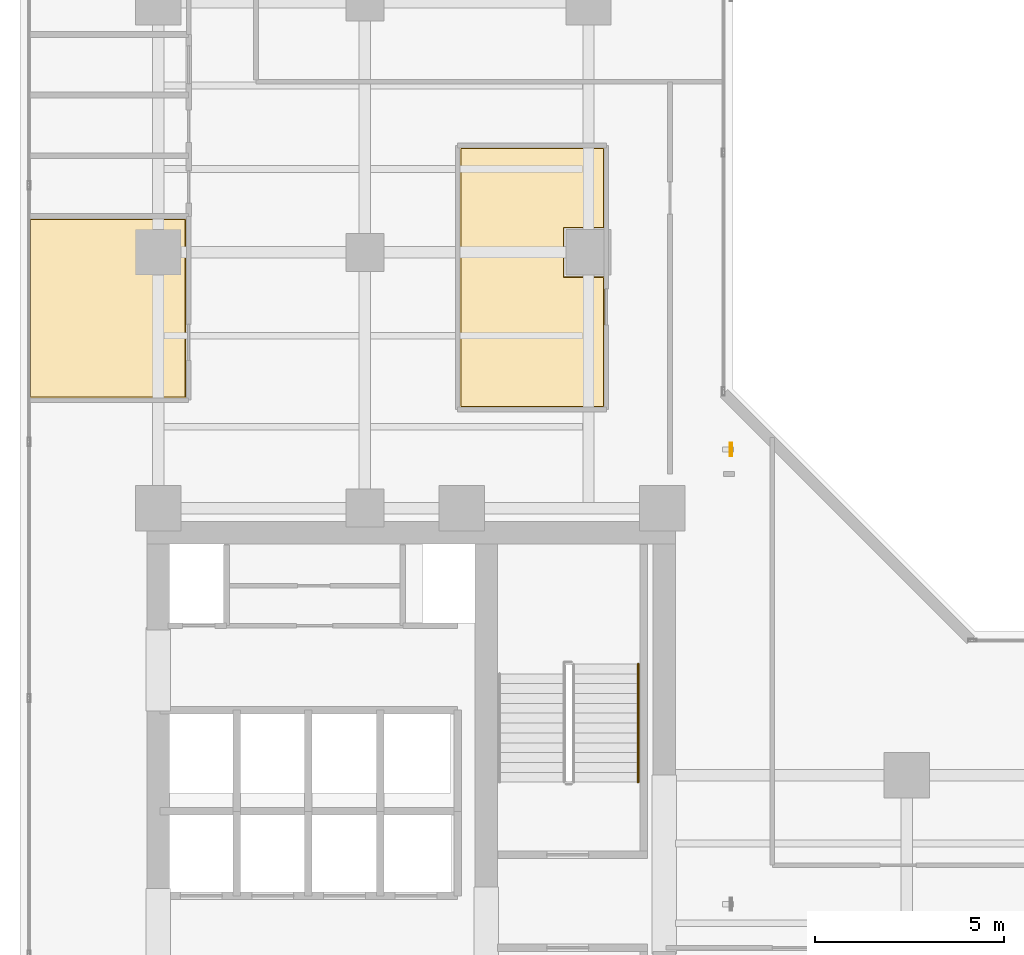
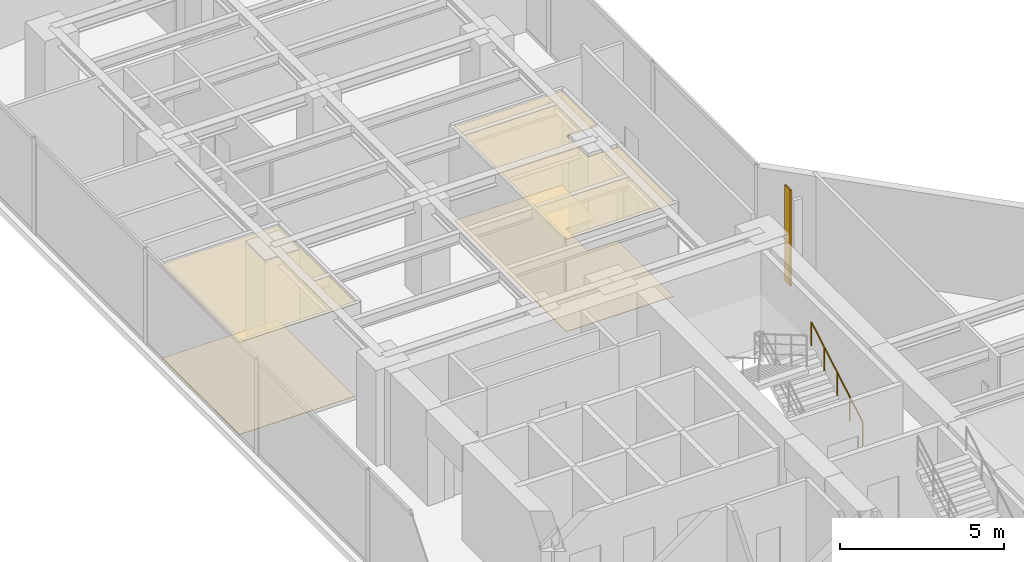
# One storey, part 25 of 27: 4 coverings, 1 railing, 1 shading device.
"""IFC4 building model written with IfcOpenShell, lengths in metres."""

import ifcopenshell
import ifcopenshell.guid

model = None  # the IFC model being written
_history = None  # IfcOwnerHistory: only IFC2X3 demands one
_inside = {}  # id of a spatial element -> (the spatial element, [elements in it])
_under = {}  # id of a project, library or spatial element -> (it, [spatial elements below it])
_declared = {}  # id of a project -> (the project, [libraries it declares])
_typed = {}  # id of a type object -> (the type object, [elements of that type])
_made_of = {}  # id of a material, layer set ... -> (it, [elements and type objects made of it])


def new_model(schema):
    """Start an empty IFC model of exactly this schema.

    Asked for "IFC4X3", IfcOpenShell would pick the latest addendum, in which some entities
    have other attributes; the version numbers below select the first issue.
    IFC2X3 requires an IfcOwnerHistory on every rooted entity: one is made here for all.
    """
    global model, _history
    if schema == "IFC4X3":
        model = ifcopenshell.file(schema_version=(4, 3, 0, 0))
    else:
        model = ifcopenshell.file(schema=schema)
    _inside.clear()
    _under.clear()
    _declared.clear()
    _typed.clear()
    _made_of.clear()
    _history = None
    if model.schema == "IFC2X3":
        org = make("IfcOrganization", Name="unknown")
        user = make(
            "IfcPersonAndOrganization",
            ThePerson=make("IfcPerson", FamilyName="unknown"),
            TheOrganization=org,
        )
        app = make(
            "IfcApplication",
            ApplicationDeveloper=org,
            Version="unknown",
            ApplicationFullName="unknown",
            ApplicationIdentifier="unknown",
        )
        _history = make(
            "IfcOwnerHistory",
            OwningUser=user,
            OwningApplication=app,
            ChangeAction="ADDED",
            CreationDate=0,
        )
    return model


def make(cls, **values):
    """One entity of the class cls with the attributes given. An attribute that is None is left unset."""
    return model.create_entity(
        cls, **{name: value for name, value in values.items() if value is not None}
    )


def rooted(cls, **values):
    """An entity with a GlobalId (a new one), such as an element, a storey or a relation."""
    return make(cls, GlobalId=ifcopenshell.guid.new(), OwnerHistory=_history, **values)


def si_unit(unit_type, name, prefix=None):
    """IfcSIUnit, for example si_unit("LENGTHUNIT", "METRE", prefix="MILLI")."""
    return make("IfcSIUnit", UnitType=unit_type, Prefix=prefix, Name=name)


def assignment(units):
    """IfcUnitAssignment: the units of a project."""
    return None if units is None else make("IfcUnitAssignment", Units=units)


def point(xyz):
    """IfcCartesianPoint."""
    return None if xyz is None else make("IfcCartesianPoint", Coordinates=xyz)


def direction(xyz):
    """IfcDirection."""
    return None if xyz is None else make("IfcDirection", DirectionRatios=xyz)


def frame(location, z_axis=None, x_axis=None):
    """IfcAxis2Placement3D, a coordinate frame: its origin and axes. An axis left out is left unset."""
    return make(
        "IfcAxis2Placement3D",
        Location=point(location),
        Axis=direction(z_axis),
        RefDirection=direction(x_axis),
    )


def frame_2d(location, x_axis=None):
    """IfcAxis2Placement2D, a coordinate frame in the plane: its origin and x axis."""
    return make(
        "IfcAxis2Placement2D", Location=point(location), RefDirection=direction(x_axis)
    )


def origin():
    """The frame at (0, 0, 0) with its axes left unset."""
    return frame((0.0, 0.0, 0.0))


def origin_2d():
    """The frame at (0, 0) in the plane with its x axis left unset."""
    return frame_2d((0.0, 0.0))


def place(relative_to, where):
    """IfcLocalPlacement: puts the frame where relative to a parent placement (None: the world)."""
    return make(
        "IfcLocalPlacement", PlacementRelTo=relative_to, RelativePlacement=where
    )


def context(
    kind, dimensions, precision=None, world=None, true_north=None, identifier=None
):
    """IfcGeometricRepresentationContext, for example the 3D "Model" context."""
    return make(
        "IfcGeometricRepresentationContext",
        ContextIdentifier=identifier,
        ContextType=kind,
        CoordinateSpaceDimension=dimensions,
        Precision=precision,
        WorldCoordinateSystem=world,
        TrueNorth=true_north,
    )


def subcontext(parent, identifier, kind, view, scale=None):
    """IfcGeometricRepresentationSubContext, for example "Body" below "Model"."""
    return make(
        "IfcGeometricRepresentationSubContext",
        ContextIdentifier=identifier,
        ContextType=kind,
        ParentContext=parent,
        TargetScale=scale,
        TargetView=view,
    )


def project(units=None, contexts=None):
    """IfcProject with its units and contexts."""
    return rooted(
        "IfcProject",
        Name="project",
        RepresentationContexts=contexts,
        UnitsInContext=assignment(units),
    )


def spatial(cls, under=None, at=None, **own):
    """A site, building, storey or space (cls), placed at a placement, below another one or the project."""
    s = rooted(cls, ObjectPlacement=at, **own)
    if under is not None:
        _under.setdefault(under.id(), (under, []))[1].append(s)
    return s


def polyline(points):
    """IfcPolyline through the points."""
    return make("IfcPolyline", Points=[point(p) for p in points])


def profile(cls, at=None, kind="AREA", **sizes):
    """A parametric profile (cls). Its sizes go by their IFC names, for example OverallWidth=200.0."""
    return make(cls, ProfileType=kind, Position=at, **sizes)


def hollow_rectangle(**sizes):
    """IfcRectangleHollowProfileDef."""
    return profile("IfcRectangleHollowProfileDef", **sizes)


def circle(**sizes):
    """IfcCircleProfileDef."""
    return profile("IfcCircleProfileDef", **sizes)


def outline(outer, holes=None, kind="AREA"):
    """IfcArbitraryClosedProfileDef: a profile drawn as a closed curve; with holes, ...WithVoids."""
    if holes is None:
        return make("IfcArbitraryClosedProfileDef", ProfileType=kind, OuterCurve=outer)
    return make(
        "IfcArbitraryProfileDefWithVoids",
        ProfileType=kind,
        OuterCurve=outer,
        InnerCurves=holes,
    )


def extrude(swept, where, along, depth):
    """IfcExtrudedAreaSolid: the profile swept, set in the frame where, extruded along a direction by depth."""
    return make(
        "IfcExtrudedAreaSolid",
        SweptArea=swept,
        Position=where,
        ExtrudedDirection=direction(along),
        Depth=depth,
    )


def shape(context_of_items, identifier, shape_type, items):
    """IfcShapeRepresentation: the items that make up one representation, for example the "Body"."""
    return make(
        "IfcShapeRepresentation",
        ContextOfItems=context_of_items,
        RepresentationIdentifier=identifier,
        RepresentationType=shape_type,
        Items=items,
    )


def material(Name=None, Category=None):
    """IfcMaterial."""
    return make("IfcMaterial", Name=Name, Category=Category)


def layer(
    of_material, thickness, ventilated=None, Name=None, Category=None, Priority=None
):
    """IfcMaterialLayer: one layer of a wall or slab, of a material (None: an air gap)."""
    return make(
        "IfcMaterialLayer",
        Material=of_material,
        LayerThickness=thickness,
        IsVentilated=ventilated,
        Name=Name,
        Category=Category,
        Priority=Priority,
    )


def layer_set(layers, Name=None):
    """IfcMaterialLayerSet."""
    return make("IfcMaterialLayerSet", MaterialLayers=layers, LayerSetName=Name)


def material_profile(
    of_material, cross_section, Name=None, Category=None, Priority=None
):
    """IfcMaterialProfile: a cross section and its material."""
    return make(
        "IfcMaterialProfile",
        Name=Name,
        Material=of_material,
        Profile=cross_section,
        Priority=Priority,
        Category=Category,
    )


def profile_set(profiles, Name=None, composite=None):
    """IfcMaterialProfileSet."""
    return make(
        "IfcMaterialProfileSet",
        Name=Name,
        MaterialProfiles=profiles,
        CompositeProfile=composite,
    )


def made_of(thing, what):
    """Note that an element or type object is made of a material, layer set ...; save() writes the relation."""
    if what is not None:
        _made_of.setdefault(what.id(), (what, []))[1].append(thing)
    return thing


def type_object(cls, material=None, **own):
    """A type object (cls), such as IfcWallType, which elements share."""
    return made_of(rooted(cls, **own), material)


def element(
    cls,
    number,
    at=None,
    inside=None,
    cuts=None,
    type_object=None,
    material=None,
    context=None,
    identifier="Body",
    shape_type=None,
    held_by="IfcProductDefinitionShape",
    body=None,
    shapes=None,
    **own,
):
    """One element of the class cls, such as IfcWall. Its Tag is "e" and its number.

    at: its placement. inside: the storey or other place that contains it. cuts: it is an
    opening in that element (IfcRelVoidsElement). A single representation is given by context,
    identifier, shape_type and body (its items); several are given by shapes. held_by: the class
    of the entity that holds the representations. save() writes the other relations.
    """
    e = rooted(cls, Tag="e%d" % number, ObjectPlacement=at, **own)
    if body is not None:
        shapes = [shape(context, identifier, shape_type, body)]
    if shapes is not None:
        e.Representation = make(held_by, Representations=shapes)
    if inside is not None:
        _inside.setdefault(inside.id(), (inside, []))[1].append(e)
    if cuts is not None:
        rooted(
            "IfcRelVoidsElement", RelatingBuildingElement=cuts, RelatedOpeningElement=e
        )
    if type_object is not None:
        _typed.setdefault(type_object.id(), (type_object, []))[1].append(e)
    return made_of(e, material)


def aggregate(whole, parts):
    """IfcRelAggregates: a whole, such as a stair, and the parts it consists of."""
    return rooted("IfcRelAggregates", RelatingObject=whole, RelatedObjects=parts)


def save(model, path):
    """Write the relations noted so far, then the file.

    IfcRelAggregates (storeys below a building ...), IfcRelContainedInSpatialStructure (elements
    in a storey), IfcRelDefinesByType, IfcRelAssociatesMaterial and IfcRelDeclares: one each for
    every whole, place, type object, material and project.
    """
    for whole, parts in _under.values():
        aggregate(whole, parts)
    for where, things in _inside.values():
        rooted(
            "IfcRelContainedInSpatialStructure",
            RelatedElements=things,
            RelatingStructure=where,
        )
    for kind, things in _typed.values():
        rooted("IfcRelDefinesByType", RelatedObjects=things, RelatingType=kind)
    for what, things in _made_of.values():
        rooted("IfcRelAssociatesMaterial", RelatedObjects=things, RelatingMaterial=what)
    for by, libraries in _declared.values():
        rooted("IfcRelDeclares", RelatingContext=by, RelatedDefinitions=libraries)
    model.write(path)


model = new_model("IFC4")

# Units and contexts
model_context = context("Model", 3, precision=1e-05, world=origin(), true_north=direction((0.0, 1.0)))
body_context = subcontext(model_context, "Body", "Model", "MODEL_VIEW")
ifc_project = project(units=[si_unit("LENGTHUNIT", "METRE"), si_unit("AREAUNIT", "SQUARE_METRE"), si_unit("VOLUMEUNIT", "CUBIC_METRE"), si_unit("PLANEANGLEUNIT", "RADIAN"), si_unit("MASSUNIT", "GRAM", prefix="KILO")], contexts=[model_context])

# Site, building, storey
site_placement = place(None, origin())
site = spatial("IfcSite", under=ifc_project, at=site_placement, CompositionType="ELEMENT")
building_placement = place(site_placement, origin())
building = spatial("IfcBuilding", under=site, at=building_placement, Name="Kolvaren Waterfront Exchange", CompositionType="ELEMENT")
storey_placement = place(building_placement, frame((0.0, 0.0, 176.60009765625)))
storey = spatial("IfcBuildingStorey", under=building, at=storey_placement, Name="L45", CompositionType="ELEMENT", Elevation=176.60009765625)

# Coverings
ifc_material_1 = material(Name="Mineral fibre acoustic ceiling tile")
ifc_layer_1 = layer(ifc_material_1, 0.02490234375, Name="Mineral fibre acoustic ceiling tile")
ifc_layer_set_1 = layer_set([ifc_layer_1], Name="Mineral fibre acoustic ceiling tile")
covering_type_1 = type_object("IfcCoveringType", Name="ARC-CEIL-ACOUSTIC-25", PredefinedType="CEILING", material=ifc_layer_set_1)
covering_1_placement = place(storey_placement, frame((0.0, 0.0, 3.44482421875)))
element("IfcCovering", 1, at=covering_1_placement, inside=storey, type_object=covering_type_1, Name="L45 acoustic suspended ceiling 1", PredefinedType="CEILING", context=body_context, shape_type="SweptSolid", body=[
    extrude(outline(polyline([(19.22509765625, 30.56005859375), (18.159912109375, 30.56005859375), (18.159912109375, 31.840087890625), (19.22509765625, 31.840087890625), (19.22509765625, 33.97509765625), (15.39501953125, 33.97509765625), (15.39501953125, 27.094970703125), (19.22509765625, 27.094970703125), (19.22509765625, 30.56005859375)])), origin(), (0.0, 0.0, 1.0), 0.025146484375),
])
covering_2_placement = place(storey_placement, frame((0.0, 0.0, 3.44482421875)))
element("IfcCovering", 2, at=covering_2_placement, inside=storey, type_object=covering_type_1, Name="L45 acoustic suspended ceiling 2", PredefinedType="CEILING", context=body_context, shape_type="SweptSolid", body=[
    extrude(outline(polyline([(8.18505859375, 27.344970703125), (8.18505859375, 32.10498046875), (4.044921875, 32.10498046875), (4.044921875, 27.344970703125), (8.18505859375, 27.344970703125)])), origin(), (0.0, 0.0, 1.0), 0.025146484375),
])

# Shading device
ifc_material_2 = material(Name="Anodised bronze aluminium 6063-T6", Category="aluminium")
ifc_material_profile = material_profile(ifc_material_2, hollow_rectangle(XDim=0.06005859375, YDim=0.35009765625, WallThickness=0.0048828125, at=origin_2d()), Name="BRZ-FIN-350x60x5")
ifc_profile_set = profile_set([ifc_material_profile], Name="Anodised bronze aluminium 6063-T6")
shading_device_type = type_object("IfcShadingDeviceType", Name="ARC-FIN-350", PredefinedType="USERDEFINED", material=ifc_profile_set)
shading_device_placement = place(storey_placement, frame((22.56005859375, 26.0, 0.0), z_axis=(0.0, 0.0, 1.0), x_axis=(1.0, 0.0, 0.0)))
element("IfcShadingDevice", 3, at=shading_device_placement, inside=storey, type_object=shading_device_type, Name="L45 anodised bronze solar shading fin FIN-L45-E2", ObjectType="SOLAR FIN", PredefinedType="USERDEFINED", context=body_context, shape_type="SweptSolid", body=[
    extrude(hollow_rectangle(XDim=0.06005859375, YDim=0.35009765625, WallThickness=0.0048828125, at=origin_2d()), origin(), (0.0, 0.0, 1.0), 3.559814453125),
])

# Coverings
ifc_material_3 = material(Name="Slip-resistant porcelain tile")
ifc_layer_2 = layer(ifc_material_3, 0.014892578125, Name="Slip-resistant porcelain tile")
ifc_layer_set_2 = layer_set([ifc_layer_2], Name="Slip-resistant porcelain tile")
covering_type_2 = type_object("IfcCoveringType", Name="ARC-FLR-PORC-15", PredefinedType="FLOORING", material=ifc_layer_set_2)
covering_3_placement = place(storey_placement, origin())
element("IfcCovering", 4, at=covering_3_placement, inside=storey, type_object=covering_type_2, Name="L45 floor finish 1", PredefinedType="FLOORING", context=body_context, shape_type="SweptSolid", body=[
    extrude(outline(polyline([(15.429931640625, 33.93994140625), (15.429931640625, 27.1298828125), (19.18994140625, 27.1298828125), (19.18994140625, 30.5400390625), (18.139892578125, 30.5400390625), (18.139892578125, 31.860107421875), (19.18994140625, 31.860107421875), (19.18994140625, 33.93994140625), (15.429931640625, 33.93994140625)])), origin(), (0.0, 0.0, 1.0), 0.014892578125),
])
covering_4_placement = place(storey_placement, origin())
element("IfcCovering", 5, at=covering_4_placement, inside=storey, type_object=covering_type_2, Name="L45 floor finish 2", PredefinedType="FLOORING", context=body_context, shape_type="SweptSolid", body=[
    extrude(outline(polyline([(4.080078125, 32.070068359375), (4.080078125, 27.3798828125), (8.14990234375, 27.3798828125), (8.14990234375, 32.070068359375), (4.080078125, 32.070068359375)])), origin(), (0.0, 0.0, 1.0), 0.014892578125),
])

# Railing
ifc_material_4 = material(Name="Stainless steel 316", Category="steel")
railing_type = type_object("IfcRailingType", Name="ARC-HANDRAIL-900", PredefinedType="HANDRAIL", material=ifc_material_4)
railing_placement = place(storey_placement, frame((20.110107421875, 17.219970703125, 0.15185546875)))
element("IfcRailing", 6, at=railing_placement, inside=storey, type_object=railing_type, Name="L45 ST2 stair handrail 1", PredefinedType="HANDRAIL", context=body_context, shape_type="SweptSolid", body=[
    extrude(circle(Radius=0.02392578125, at=origin_2d()), frame((0.0, 0.0, 0.8759765625), z_axis=(0.0, 0.86330811405, 0.504677223793), x_axis=(-1.0, 0.0, 0.0)), (0.0, 0.0, 1.0), 3.6142578125),
    extrude(circle(Radius=0.02099609375, at=origin_2d()), origin(), (0.0, 0.0, 1.0), 0.851806640625),
    extrude(circle(Radius=0.02099609375, at=origin_2d()), frame((0.0, 0.780029296875, 0.4560546875)), (0.0, 0.0, 1.0), 0.851806640625),
    extrude(circle(Radius=0.02099609375, at=origin_2d()), frame((0.0, 1.56005859375, 0.912109375)), (0.0, 0.0, 1.0), 0.851806640625),
    extrude(circle(Radius=0.02099609375, at=origin_2d()), frame((0.0, 2.340087890625, 1.367919921875)), (0.0, 0.0, 1.0), 0.851806640625),
    extrude(circle(Radius=0.02099609375, at=origin_2d()), frame((0.0, 3.1201171875, 1.823974609375)), (0.0, 0.0, 1.0), 0.851806640625),
])

save(model, "model.ifc")
